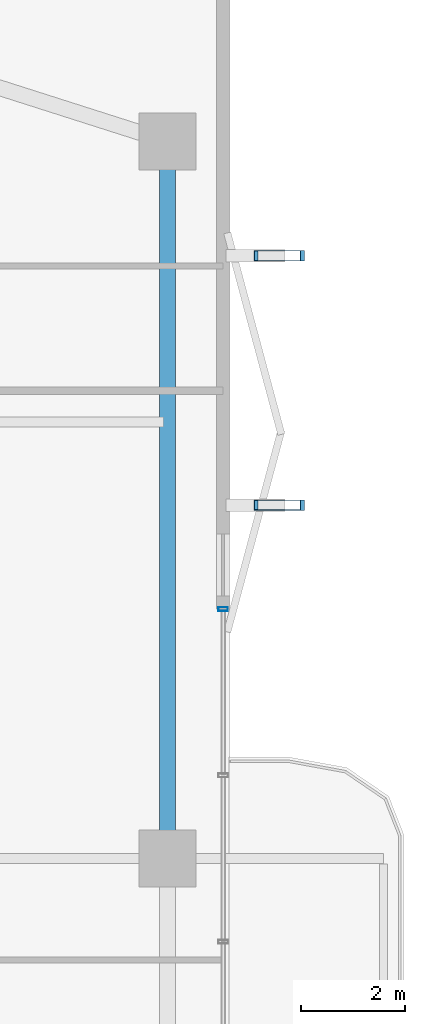
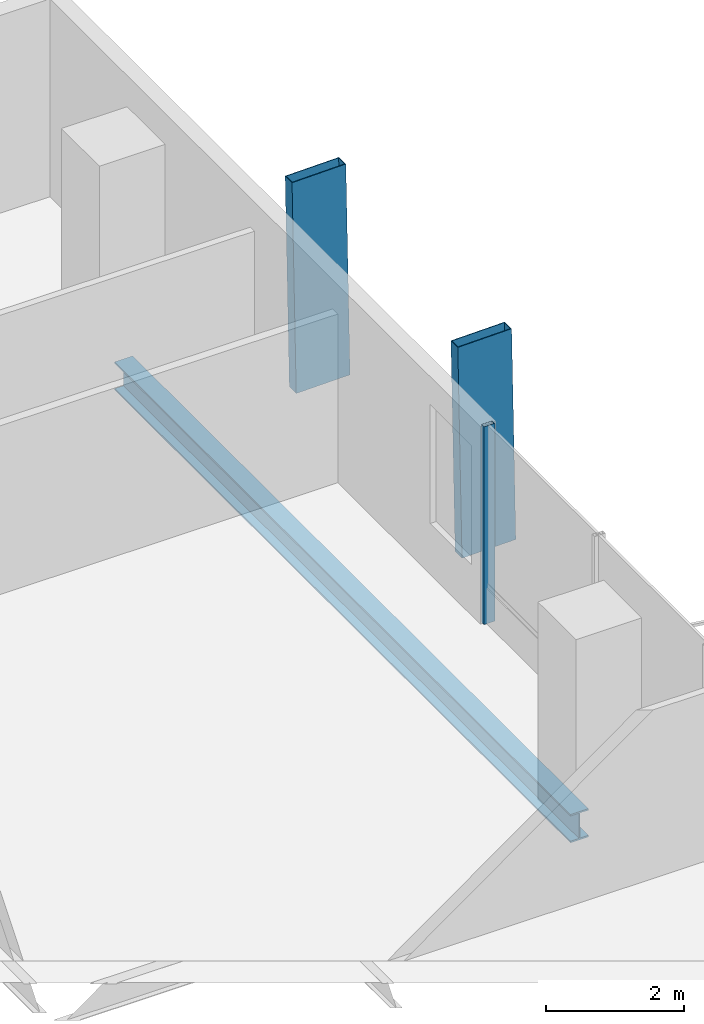
# One storey, part 16 of 25: 3 members, 1 beam, 1 element without a shape of its own.
"""IFC4 building model written with IfcOpenShell, lengths in metres."""

from ifc_helpers import new_model, si_unit, direction, frame, origin, origin_2d, place, context, subcontext, project, spatial, hollow_rectangle, i_section, extrude, material, layer, layer_set, material_profile, profile_set, type_object, element, aggregate, save


model = new_model("IFC4")

# Units and contexts
model_context = context("Model", 3, precision=1e-05, world=origin(), true_north=direction((0.0, 1.0)))
body_context = subcontext(model_context, "Body", "Model", "MODEL_VIEW")
ifc_project = project(units=[si_unit("LENGTHUNIT", "METRE"), si_unit("AREAUNIT", "SQUARE_METRE"), si_unit("VOLUMEUNIT", "CUBIC_METRE"), si_unit("PLANEANGLEUNIT", "RADIAN"), si_unit("MASSUNIT", "GRAM", prefix="KILO")], contexts=[model_context])

# Site, building, storey
site_placement = place(None, origin())
site = spatial("IfcSite", under=ifc_project, at=site_placement, CompositionType="ELEMENT")
building_placement = place(site_placement, origin())
building = spatial("IfcBuilding", under=site, at=building_placement, Name="Belovzor Exchange Tower", CompositionType="ELEMENT")
storey_placement = place(building_placement, frame((0.0, 0.0, 172.050048828125)))
storey = spatial("IfcBuildingStorey", under=building, at=storey_placement, Name="L42", CompositionType="ELEMENT", Elevation=172.050048828125)

# Members
ifc_material_1 = material(Name="Extruded Architectural Terracotta on Steel S355 Carrier", Category="masonry")
ifc_material_profile_1 = material_profile(ifc_material_1, hollow_rectangle(XDim=0.199951171875, YDim=0.89990234375, WallThickness=0.011962890625, at=origin_2d()))
ifc_profile_set_1 = profile_set([ifc_material_profile_1], Name="Extruded Architectural Terracotta on Steel S355 Carrier")
member_type_1 = type_object("IfcMemberType", Name="Sweeping Terracotta Baguette Fin Assembly 1250", PredefinedType="USERDEFINED", material=ifc_profile_set_1)
for number, where, z_axis, x_axis, name in (
    (1, (54.0810546875, 35.60009765625, -0.255126953125), (-0.018681635002, 0.0, 0.999825483029), (0.0, -1.0, 0.0), "FIN-TC125 Terracotta Facade Fin L42 E3"),
    (2, (54.0810546875, 40.39990234375, -0.255126953125), (-0.018681635002, 0.0, 0.999825483029), (0.0, -1.0, 0.0), "FIN-TC125 Terracotta Facade Fin L42 E4"),
):
    element("IfcMember", number, at=place(storey_placement, frame(where, z_axis=z_axis, x_axis=x_axis)), inside=storey, type_object=member_type_1, Name=name, ObjectType="FIN", PredefinedType="USERDEFINED", context=body_context, shape_type="SweptSolid", body=[
        extrude(hollow_rectangle(XDim=0.199951171875, YDim=0.89990234375, WallThickness=0.011962890625, at=origin_2d()), origin(), (0.0, 0.0, 1.0), 3.750732421875),
    ])

# Curtain wall, member
ifc_material_2 = material(Name="Anodised Aluminium Framing", Category="aluminium")
ifc_layer = layer(ifc_material_2, 0.179931640625)
ifc_layer_set = layer_set([ifc_layer], Name="Anodised Aluminium Framing")
curtain_wall_type = type_object("IfcCurtainWallType", Name="Recessed Loggia Low-Iron Triple-Glazed Curtain Wall", PredefinedType="NOTDEFINED", material=ifc_layer_set)
curtain_wall_placement = place(storey_placement, origin())
curtain_wall = element("IfcCurtainWall", 3, at=curtain_wall_placement, inside=storey, type_object=curtain_wall_type, Name="CW3 Recessed Loggia Low-Iron Triple-Glazed Curtain Wall L42", PredefinedType="NOTDEFINED")
ifc_material_3 = material(Name="Steel S355", Category="steel")
ifc_material_profile_2 = material_profile(ifc_material_3, hollow_rectangle(XDim=0.074951171875, YDim=0.179931640625, WallThickness=0.0048828125, at=origin_2d()))
ifc_profile_set_2 = profile_set([ifc_material_profile_2], Name="Steel S355")
member_type_2 = type_object("IfcMemberType", Name="Thermally Broken Curtain Wall Mullion 180x75", PredefinedType="MULLION", material=ifc_profile_set_2)
member_placement = place(storey_placement, frame((52.969970703125, 33.60009765625, 0.0), z_axis=(0.0, 0.0, 1.0), x_axis=(0.0, -1.0, 0.0)))
member = element("IfcMember", 4, at=member_placement, type_object=member_type_2, Name="CW-M180 Curtain Wall Mullion 1", PredefinedType="MULLION", context=body_context, shape_type="SweptSolid", body=[
    extrude(hollow_rectangle(XDim=0.074951171875, YDim=0.179931640625, WallThickness=0.0048828125, at=origin_2d()), origin(), (0.0, 0.0, 1.0), 3.494873046875),
])
aggregate(curtain_wall, [member])

# Beam
ifc_material_4 = material(Name="Steel S355", Category="steel")
ifc_material_profile_3 = material_profile(ifc_material_4, i_section(OverallWidth=0.300048828125, OverallDepth=0.5, WebThickness=0.014404296875, FlangeThickness=0.028076171875, at=origin_2d()))
ifc_profile_set_3 = profile_set([ifc_material_profile_3], Name="Steel S355")
beam_type = type_object("IfcBeamType", Name="Zone 3 Waist Primary Girder HEB 500", PredefinedType="BEAM", material=ifc_profile_set_3)
beam_placement = place(storey_placement, frame((51.89990234375, 29.10205078125, -0.505126953125), z_axis=(0.0, 1.0, 0.0), x_axis=(-1.0, 0.0, 0.0)))
element("IfcBeam", 5, at=beam_placement, inside=storey, type_object=beam_type, Name="FG-Z3 Zone 3 Waist Primary Girder HEB 500", PredefinedType="BEAM", context=body_context, shape_type="SweptSolid", body=[
    extrude(i_section(OverallWidth=0.300048828125, OverallDepth=0.5, WebThickness=0.014404296875, FlangeThickness=0.028076171875, at=origin_2d()), origin(), (0.0, 0.0, 1.0), 13.195068359375),
])

save(model, "model.ifc")
